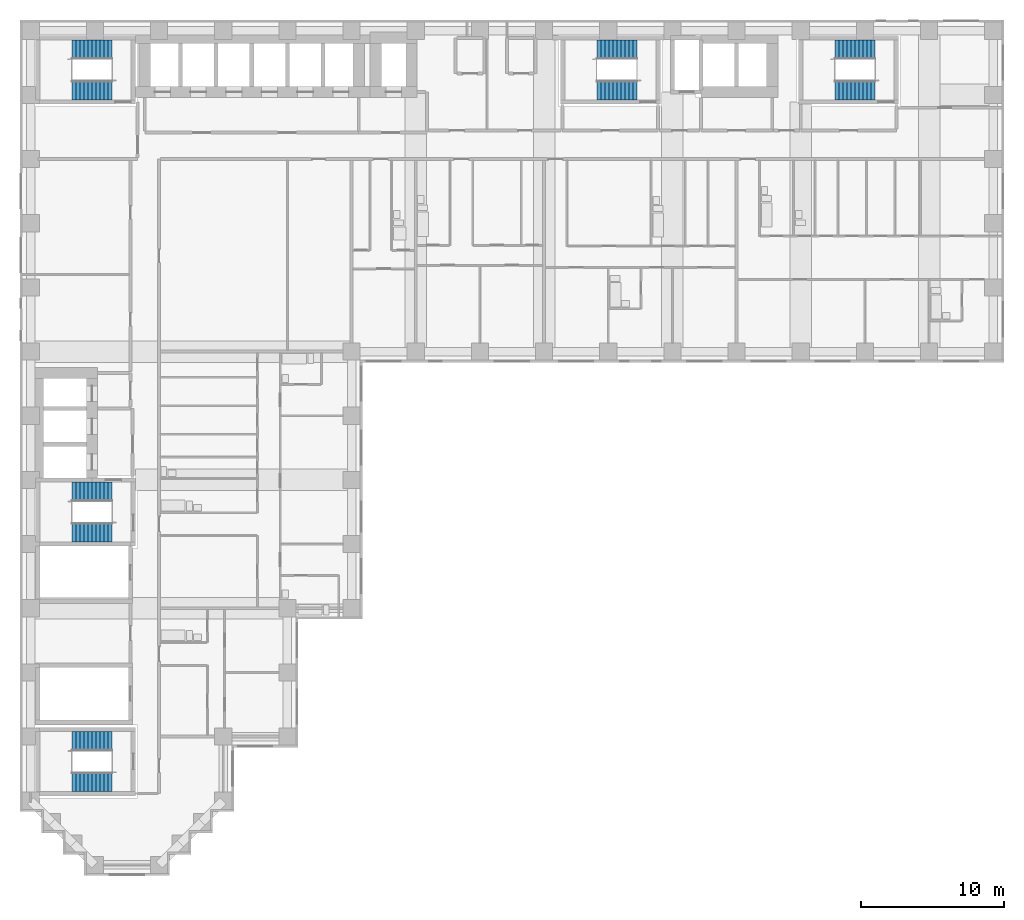
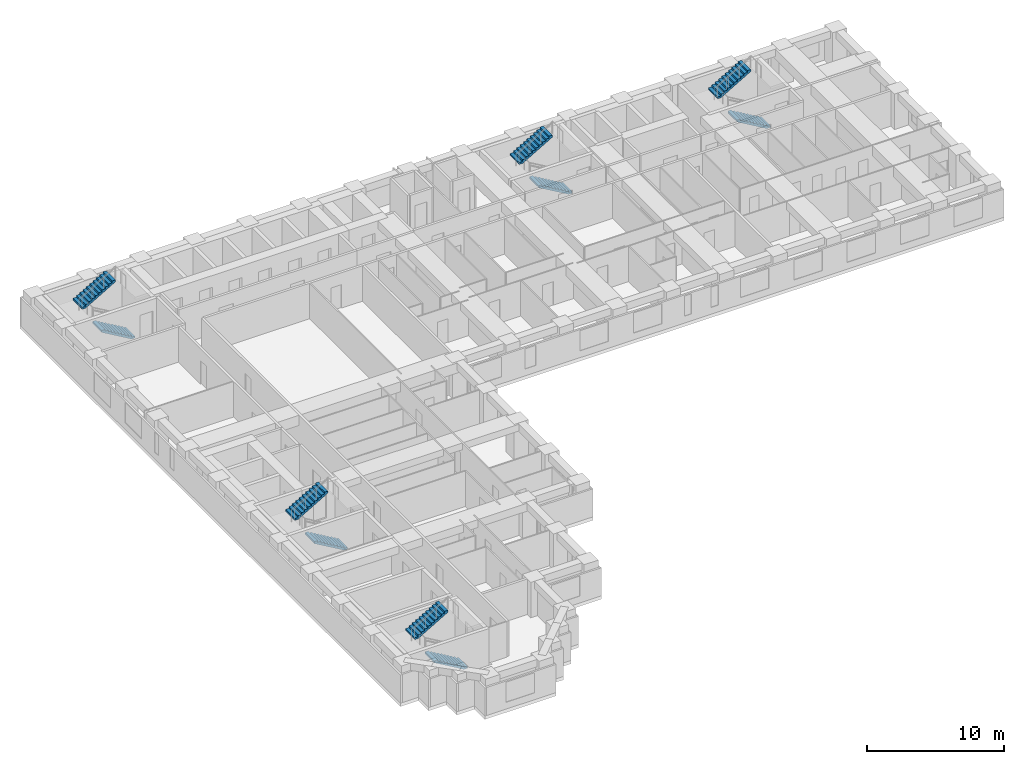
# One storey, part 11 of 13: 10 stair flights, 5 elements without a shape of their own.
"""IFC4 building model written with IfcOpenShell, lengths in metres."""

from ifc_helpers import new_model, si_unit, direction, frame, origin, place, context, subcontext, project, spatial, polyline, outline, extrude, material, type_object, element, aggregate, save


model = new_model("IFC4")

# Units and contexts
model_context = context("Model", 3, precision=1e-05, world=origin(), true_north=direction((0.0, 1.0)))
body_context = subcontext(model_context, "Body", "Model", "MODEL_VIEW")
ifc_project = project(units=[si_unit("LENGTHUNIT", "METRE"), si_unit("AREAUNIT", "SQUARE_METRE"), si_unit("VOLUMEUNIT", "CUBIC_METRE"), si_unit("PLANEANGLEUNIT", "RADIAN"), si_unit("MASSUNIT", "GRAM", prefix="KILO")], contexts=[model_context])

# Site, building, storey
site_placement = place(None, origin())
site = spatial("IfcSite", under=ifc_project, at=site_placement, CompositionType="ELEMENT")
building_placement = place(site_placement, origin())
building = spatial("IfcBuilding", under=site, at=building_placement, Name="Firuza Court", CompositionType="ELEMENT")
storey_placement = place(building_placement, frame((0.0, 0.0, 104.60009765625)))
storey = spatial("IfcBuildingStorey", under=building, at=storey_placement, Name="L26", CompositionType="ELEMENT", Elevation=104.60009765625)

# Stair, stair flights
ifc_material_1 = material(Name="Concrete C40/50 precast", Category="concrete")
stair_type = type_object("IfcStairType", Name="Stair 1350 x 3600 2 flights", PredefinedType="HALF_TURN_STAIR", material=ifc_material_1)
stair_1_placement = place(storey_placement, origin())
stair_1 = element("IfcStair", 1, at=stair_1_placement, inside=storey, type_object=stair_type, Name="Stair 1 L26", PredefinedType="HALF_TURN_STAIR")
ifc_material_2 = material(Name="Concrete C40/50 precast", Category="concrete")
stair_flight_type = type_object("IfcStairFlightType", Name="Flight 1350 riser 163.6", PredefinedType="STRAIGHT", material=ifc_material_2)
stair_flight_1_placement = place(storey_placement, frame((42.5, 54.324951171875, 0.0), z_axis=(0.0, 0.0, 1.0), x_axis=(-1.0, 0.0, 0.0)))
stair_flight_1 = element("IfcStairFlight", 2, at=stair_flight_1_placement, type_object=stair_flight_type, Name="S1 flight 1", NumberOfRisers=11, NumberOfTreads=10, PredefinedType="STRAIGHT", RiserHeight=0.163636364, TreadLength=0.28, context=body_context, shape_type="SweptSolid", body=[
    extrude(outline(polyline([(0.0, 0.0), (0.0, 0.16357421875), (0.280029296875, 0.16357421875), (0.280029296875, 0.327392578125), (0.56005859375, 0.327392578125), (0.56005859375, 0.490966796875), (0.840087890625, 0.490966796875), (0.840087890625, 0.654541015625), (1.1201171875, 0.654541015625), (1.1201171875, 0.818115234375), (1.39990234375, 0.818115234375), (1.39990234375, 0.98193359375), (1.679931640625, 0.98193359375), (1.679931640625, 1.1455078125), (1.9599609375, 1.1455078125), (1.9599609375, 1.30908203125), (2.239990234375, 1.30908203125), (2.239990234375, 1.47265625), (2.52001953125, 1.47265625), (2.52001953125, 1.636474609375), (2.800048828125, 1.636474609375), (2.800048828125, 1.800048828125), (2.800048828125, 1.462646484375), (0.297119140625, 0.0), (0.0, 0.0)])), frame((0.0, 0.675048828125, 0.0), z_axis=(0.0, -1.0, 0.0), x_axis=(1.0, 0.0, 0.0)), (0.0, 0.0, 1.0), 1.35009765625),
])
stair_flight_2_placement = place(storey_placement, frame((39.699951171875, 57.175048828125, 1.7998046875), z_axis=(0.0, 0.0, 1.0), x_axis=(1.0, 0.0, 0.0)))
stair_flight_2 = element("IfcStairFlight", 3, at=stair_flight_2_placement, type_object=stair_flight_type, Name="S1 flight 2", NumberOfRisers=11, NumberOfTreads=10, PredefinedType="STRAIGHT", RiserHeight=0.163636364, TreadLength=0.28, context=body_context, shape_type="SweptSolid", body=[
    extrude(outline(polyline([(0.0, 0.0), (0.0, 0.16357421875), (0.280029296875, 0.16357421875), (0.280029296875, 0.327392578125), (0.56005859375, 0.327392578125), (0.56005859375, 0.490966796875), (0.840087890625, 0.490966796875), (0.840087890625, 0.654541015625), (1.1201171875, 0.654541015625), (1.1201171875, 0.818115234375), (1.39990234375, 0.818115234375), (1.39990234375, 0.98193359375), (1.679931640625, 0.98193359375), (1.679931640625, 1.1455078125), (1.9599609375, 1.1455078125), (1.9599609375, 1.30908203125), (2.239990234375, 1.30908203125), (2.239990234375, 1.47265625), (2.52001953125, 1.47265625), (2.52001953125, 1.636474609375), (2.800048828125, 1.636474609375), (2.800048828125, 1.800048828125), (2.800048828125, 1.462646484375), (0.297119140625, 0.0), (0.0, 0.0)])), frame((0.0, 0.675048828125, 0.0), z_axis=(0.0, -1.0, 0.0), x_axis=(1.0, 0.0, 0.0)), (0.0, 0.0, 1.0), 1.35009765625),
])
aggregate(stair_1, [stair_flight_1, stair_flight_2])

stair_2_placement = place(storey_placement, origin())
stair_2 = element("IfcStair", 4, at=stair_2_placement, inside=storey, type_object=stair_type, Name="Stair 2 L26", PredefinedType="HALF_TURN_STAIR")
stair_flight_3_placement = place(storey_placement, frame((5.699951171875, 23.324951171875, 0.0), z_axis=(0.0, 0.0, 1.0), x_axis=(-1.0, 0.0, 0.0)))
stair_flight_3 = element("IfcStairFlight", 5, at=stair_flight_3_placement, type_object=stair_flight_type, Name="S2 flight 1", NumberOfRisers=11, NumberOfTreads=10, PredefinedType="STRAIGHT", RiserHeight=0.163636364, TreadLength=0.28, context=body_context, shape_type="SweptSolid", body=[
    extrude(outline(polyline([(0.0, 0.0), (0.0, 0.16357421875), (0.280029296875, 0.16357421875), (0.280029296875, 0.327392578125), (0.56005859375, 0.327392578125), (0.56005859375, 0.490966796875), (0.840087890625, 0.490966796875), (0.840087890625, 0.654541015625), (1.1201171875, 0.654541015625), (1.1201171875, 0.818115234375), (1.39990234375, 0.818115234375), (1.39990234375, 0.98193359375), (1.679931640625, 0.98193359375), (1.679931640625, 1.1455078125), (1.9599609375, 1.1455078125), (1.9599609375, 1.30908203125), (2.239990234375, 1.30908203125), (2.239990234375, 1.47265625), (2.52001953125, 1.47265625), (2.52001953125, 1.636474609375), (2.800048828125, 1.636474609375), (2.800048828125, 1.800048828125), (2.800048828125, 1.462646484375), (0.297119140625, 0.0), (0.0, 0.0)])), frame((0.0, 0.675048828125, 0.0), z_axis=(0.0, -1.0, 0.0), x_axis=(1.0, 0.0, 0.0)), (0.0, 0.0, 1.0), 1.35009765625),
])
stair_flight_4_placement = place(storey_placement, frame((2.89990234375, 26.175048828125, 1.7998046875), z_axis=(0.0, 0.0, 1.0), x_axis=(1.0, 0.0, 0.0)))
stair_flight_4 = element("IfcStairFlight", 6, at=stair_flight_4_placement, type_object=stair_flight_type, Name="S2 flight 2", NumberOfRisers=11, NumberOfTreads=10, PredefinedType="STRAIGHT", RiserHeight=0.163636364, TreadLength=0.28, context=body_context, shape_type="SweptSolid", body=[
    extrude(outline(polyline([(0.0, 0.0), (0.0, 0.16357421875), (0.280029296875, 0.16357421875), (0.280029296875, 0.327392578125), (0.56005859375, 0.327392578125), (0.56005859375, 0.490966796875), (0.840087890625, 0.490966796875), (0.840087890625, 0.654541015625), (1.1201171875, 0.654541015625), (1.1201171875, 0.818115234375), (1.39990234375, 0.818115234375), (1.39990234375, 0.98193359375), (1.679931640625, 0.98193359375), (1.679931640625, 1.1455078125), (1.9599609375, 1.1455078125), (1.9599609375, 1.30908203125), (2.239990234375, 1.30908203125), (2.239990234375, 1.47265625), (2.52001953125, 1.47265625), (2.52001953125, 1.636474609375), (2.800048828125, 1.636474609375), (2.800048828125, 1.800048828125), (2.800048828125, 1.462646484375), (0.297119140625, 0.0), (0.0, 0.0)])), frame((0.0, 0.675048828125, 0.0), z_axis=(0.0, -1.0, 0.0), x_axis=(1.0, 0.0, 0.0)), (0.0, 0.0, 1.0), 1.35009765625),
])
aggregate(stair_2, [stair_flight_3, stair_flight_4])

stair_3_placement = place(storey_placement, origin())
stair_3 = element("IfcStair", 7, at=stair_3_placement, inside=storey, type_object=stair_type, Name="Stair 3 L26", PredefinedType="HALF_TURN_STAIR")
stair_flight_5_placement = place(storey_placement, frame((5.699951171875, 54.324951171875, 0.0), z_axis=(0.0, 0.0, 1.0), x_axis=(-1.0, 0.0, 0.0)))
stair_flight_5 = element("IfcStairFlight", 8, at=stair_flight_5_placement, type_object=stair_flight_type, Name="S3 flight 1", NumberOfRisers=11, NumberOfTreads=10, PredefinedType="STRAIGHT", RiserHeight=0.163636364, TreadLength=0.28, context=body_context, shape_type="SweptSolid", body=[
    extrude(outline(polyline([(0.0, 0.0), (0.0, 0.16357421875), (0.280029296875, 0.16357421875), (0.280029296875, 0.327392578125), (0.56005859375, 0.327392578125), (0.56005859375, 0.490966796875), (0.840087890625, 0.490966796875), (0.840087890625, 0.654541015625), (1.1201171875, 0.654541015625), (1.1201171875, 0.818115234375), (1.39990234375, 0.818115234375), (1.39990234375, 0.98193359375), (1.679931640625, 0.98193359375), (1.679931640625, 1.1455078125), (1.9599609375, 1.1455078125), (1.9599609375, 1.30908203125), (2.239990234375, 1.30908203125), (2.239990234375, 1.47265625), (2.52001953125, 1.47265625), (2.52001953125, 1.636474609375), (2.800048828125, 1.636474609375), (2.800048828125, 1.800048828125), (2.800048828125, 1.462646484375), (0.297119140625, 0.0), (0.0, 0.0)])), frame((0.0, 0.675048828125, 0.0), z_axis=(0.0, -1.0, 0.0), x_axis=(1.0, 0.0, 0.0)), (0.0, 0.0, 1.0), 1.35009765625),
])
stair_flight_6_placement = place(storey_placement, frame((2.89990234375, 57.175048828125, 1.7998046875), z_axis=(0.0, 0.0, 1.0), x_axis=(1.0, 0.0, 0.0)))
stair_flight_6 = element("IfcStairFlight", 9, at=stair_flight_6_placement, type_object=stair_flight_type, Name="S3 flight 2", NumberOfRisers=11, NumberOfTreads=10, PredefinedType="STRAIGHT", RiserHeight=0.163636364, TreadLength=0.28, context=body_context, shape_type="SweptSolid", body=[
    extrude(outline(polyline([(0.0, 0.0), (0.0, 0.16357421875), (0.280029296875, 0.16357421875), (0.280029296875, 0.327392578125), (0.56005859375, 0.327392578125), (0.56005859375, 0.490966796875), (0.840087890625, 0.490966796875), (0.840087890625, 0.654541015625), (1.1201171875, 0.654541015625), (1.1201171875, 0.818115234375), (1.39990234375, 0.818115234375), (1.39990234375, 0.98193359375), (1.679931640625, 0.98193359375), (1.679931640625, 1.1455078125), (1.9599609375, 1.1455078125), (1.9599609375, 1.30908203125), (2.239990234375, 1.30908203125), (2.239990234375, 1.47265625), (2.52001953125, 1.47265625), (2.52001953125, 1.636474609375), (2.800048828125, 1.636474609375), (2.800048828125, 1.800048828125), (2.800048828125, 1.462646484375), (0.297119140625, 0.0), (0.0, 0.0)])), frame((0.0, 0.675048828125, 0.0), z_axis=(0.0, -1.0, 0.0), x_axis=(1.0, 0.0, 0.0)), (0.0, 0.0, 1.0), 1.35009765625),
])
aggregate(stair_3, [stair_flight_5, stair_flight_6])

stair_4_placement = place(storey_placement, origin())
stair_4 = element("IfcStair", 10, at=stair_4_placement, inside=storey, type_object=stair_type, Name="Stair 4 L26", PredefinedType="HALF_TURN_STAIR")
stair_flight_7_placement = place(storey_placement, frame((59.199951171875, 54.324951171875, 0.0), z_axis=(0.0, 0.0, 1.0), x_axis=(-1.0, 0.0, 0.0)))
stair_flight_7 = element("IfcStairFlight", 11, at=stair_flight_7_placement, type_object=stair_flight_type, Name="S4 flight 1", NumberOfRisers=11, NumberOfTreads=10, PredefinedType="STRAIGHT", RiserHeight=0.163636364, TreadLength=0.28, context=body_context, shape_type="SweptSolid", body=[
    extrude(outline(polyline([(0.0, 0.0), (0.0, 0.16357421875), (0.280029296875, 0.16357421875), (0.280029296875, 0.327392578125), (0.56005859375, 0.327392578125), (0.56005859375, 0.490966796875), (0.840087890625, 0.490966796875), (0.840087890625, 0.654541015625), (1.1201171875, 0.654541015625), (1.1201171875, 0.818115234375), (1.39990234375, 0.818115234375), (1.39990234375, 0.98193359375), (1.679931640625, 0.98193359375), (1.679931640625, 1.1455078125), (1.9599609375, 1.1455078125), (1.9599609375, 1.30908203125), (2.239990234375, 1.30908203125), (2.239990234375, 1.47265625), (2.52001953125, 1.47265625), (2.52001953125, 1.636474609375), (2.800048828125, 1.636474609375), (2.800048828125, 1.800048828125), (2.800048828125, 1.462646484375), (0.297119140625, 0.0), (0.0, 0.0)])), frame((0.0, 0.675048828125, 0.0), z_axis=(0.0, -1.0, 0.0), x_axis=(1.0, 0.0, 0.0)), (0.0, 0.0, 1.0), 1.35009765625),
])
stair_flight_8_placement = place(storey_placement, frame((56.39990234375, 57.175048828125, 1.7998046875), z_axis=(0.0, 0.0, 1.0), x_axis=(1.0, 0.0, 0.0)))
stair_flight_8 = element("IfcStairFlight", 12, at=stair_flight_8_placement, type_object=stair_flight_type, Name="S4 flight 2", NumberOfRisers=11, NumberOfTreads=10, PredefinedType="STRAIGHT", RiserHeight=0.163636364, TreadLength=0.28, context=body_context, shape_type="SweptSolid", body=[
    extrude(outline(polyline([(0.0, 0.0), (0.0, 0.16357421875), (0.280029296875, 0.16357421875), (0.280029296875, 0.327392578125), (0.56005859375, 0.327392578125), (0.56005859375, 0.490966796875), (0.840087890625, 0.490966796875), (0.840087890625, 0.654541015625), (1.1201171875, 0.654541015625), (1.1201171875, 0.818115234375), (1.39990234375, 0.818115234375), (1.39990234375, 0.98193359375), (1.679931640625, 0.98193359375), (1.679931640625, 1.1455078125), (1.9599609375, 1.1455078125), (1.9599609375, 1.30908203125), (2.239990234375, 1.30908203125), (2.239990234375, 1.47265625), (2.52001953125, 1.47265625), (2.52001953125, 1.636474609375), (2.800048828125, 1.636474609375), (2.800048828125, 1.800048828125), (2.800048828125, 1.462646484375), (0.297119140625, 0.0), (0.0, 0.0)])), frame((0.0, 0.675048828125, 0.0), z_axis=(0.0, -1.0, 0.0), x_axis=(1.0, 0.0, 0.0)), (0.0, 0.0, 1.0), 1.35009765625),
])
aggregate(stair_4, [stair_flight_7, stair_flight_8])

stair_5_placement = place(storey_placement, origin())
stair_5 = element("IfcStair", 13, at=stair_5_placement, inside=storey, type_object=stair_type, Name="Stair 5 L26", PredefinedType="HALF_TURN_STAIR")
stair_flight_9_placement = place(storey_placement, frame((5.699951171875, 5.824951171875, 0.0), z_axis=(0.0, 0.0, 1.0), x_axis=(-1.0, 0.0, 0.0)))
stair_flight_9 = element("IfcStairFlight", 14, at=stair_flight_9_placement, type_object=stair_flight_type, Name="S5 flight 1", NumberOfRisers=11, NumberOfTreads=10, PredefinedType="STRAIGHT", RiserHeight=0.163636364, TreadLength=0.28, context=body_context, shape_type="SweptSolid", body=[
    extrude(outline(polyline([(0.0, 0.0), (0.0, 0.16357421875), (0.280029296875, 0.16357421875), (0.280029296875, 0.327392578125), (0.56005859375, 0.327392578125), (0.56005859375, 0.490966796875), (0.840087890625, 0.490966796875), (0.840087890625, 0.654541015625), (1.1201171875, 0.654541015625), (1.1201171875, 0.818115234375), (1.39990234375, 0.818115234375), (1.39990234375, 0.98193359375), (1.679931640625, 0.98193359375), (1.679931640625, 1.1455078125), (1.9599609375, 1.1455078125), (1.9599609375, 1.30908203125), (2.239990234375, 1.30908203125), (2.239990234375, 1.47265625), (2.52001953125, 1.47265625), (2.52001953125, 1.636474609375), (2.800048828125, 1.636474609375), (2.800048828125, 1.800048828125), (2.800048828125, 1.462646484375), (0.297119140625, 0.0), (0.0, 0.0)])), frame((0.0, 0.675048828125, 0.0), z_axis=(0.0, -1.0, 0.0), x_axis=(1.0, 0.0, 0.0)), (0.0, 0.0, 1.0), 1.35009765625),
])
stair_flight_10_placement = place(storey_placement, frame((2.89990234375, 8.675048828125, 1.7998046875), z_axis=(0.0, 0.0, 1.0), x_axis=(1.0, 0.0, 0.0)))
stair_flight_10 = element("IfcStairFlight", 15, at=stair_flight_10_placement, type_object=stair_flight_type, Name="S5 flight 2", NumberOfRisers=11, NumberOfTreads=10, PredefinedType="STRAIGHT", RiserHeight=0.163636364, TreadLength=0.28, context=body_context, shape_type="SweptSolid", body=[
    extrude(outline(polyline([(0.0, 0.0), (0.0, 0.16357421875), (0.280029296875, 0.16357421875), (0.280029296875, 0.327392578125), (0.56005859375, 0.327392578125), (0.56005859375, 0.490966796875), (0.840087890625, 0.490966796875), (0.840087890625, 0.654541015625), (1.1201171875, 0.654541015625), (1.1201171875, 0.818115234375), (1.39990234375, 0.818115234375), (1.39990234375, 0.98193359375), (1.679931640625, 0.98193359375), (1.679931640625, 1.1455078125), (1.9599609375, 1.1455078125), (1.9599609375, 1.30908203125), (2.239990234375, 1.30908203125), (2.239990234375, 1.47265625), (2.52001953125, 1.47265625), (2.52001953125, 1.636474609375), (2.800048828125, 1.636474609375), (2.800048828125, 1.800048828125), (2.800048828125, 1.462646484375), (0.297119140625, 0.0), (0.0, 0.0)])), frame((0.0, 0.675048828125, 0.0), z_axis=(0.0, -1.0, 0.0), x_axis=(1.0, 0.0, 0.0)), (0.0, 0.0, 1.0), 1.35009765625),
])
aggregate(stair_5, [stair_flight_9, stair_flight_10])

save(model, "model.ifc")
